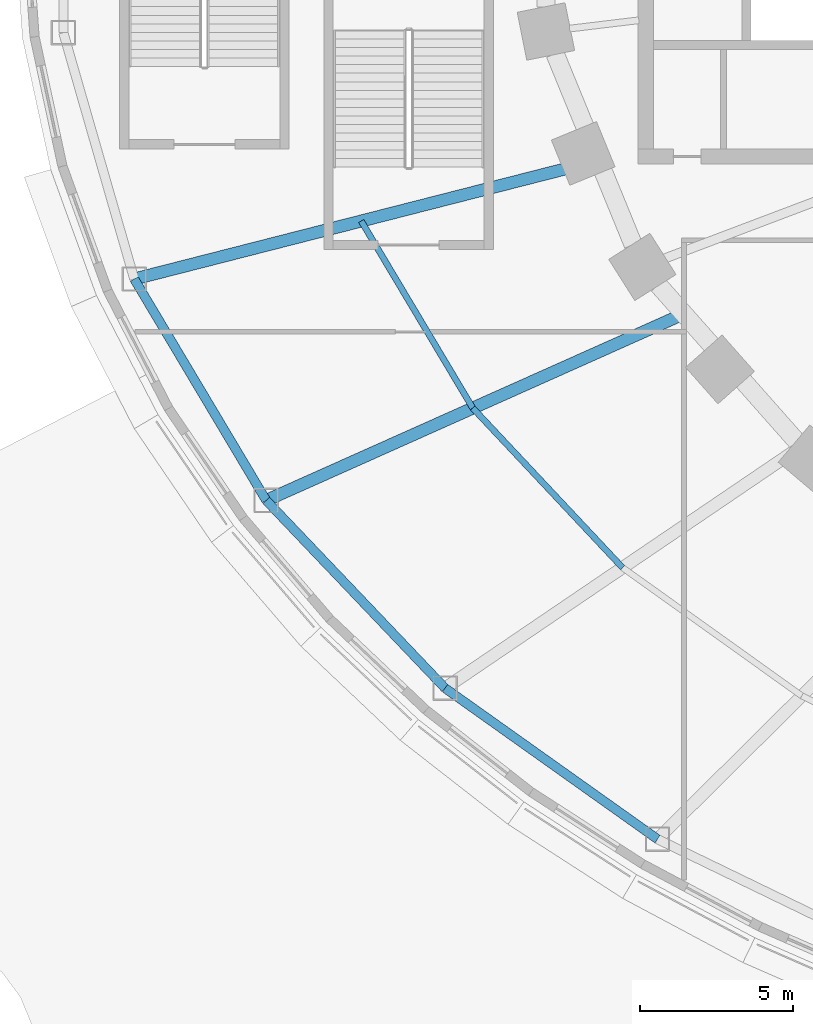
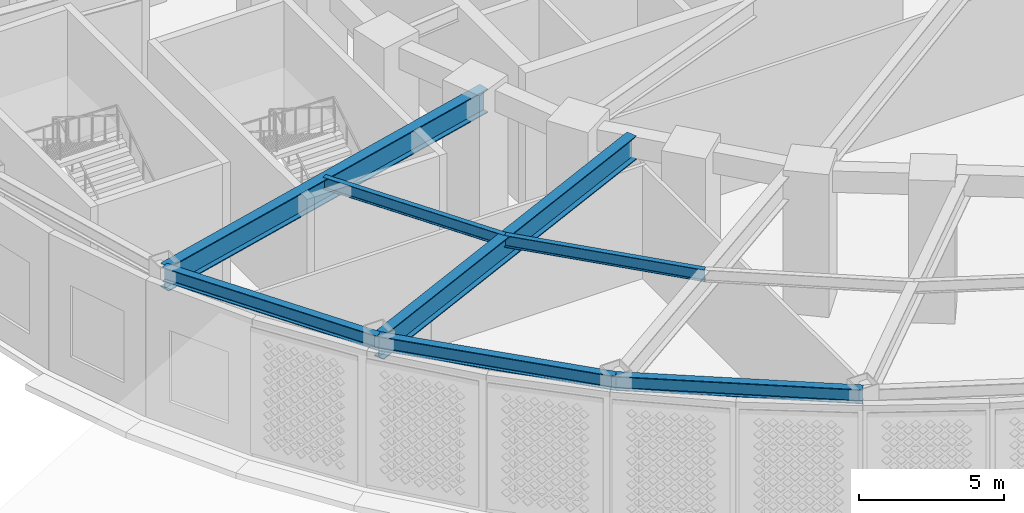
# One storey, part 8 of 74: 7 beams.
"""IFC4 building model written with IfcOpenShell, lengths in metres."""

from ifc_helpers import new_model, si_unit, direction, frame, origin, origin_2d, place, context, subcontext, project, spatial, i_section, extrude, material, material_profile, profile_set, type_object, element, save


model = new_model("IFC4")

# Units and contexts
model_context = context("Model", 3, precision=1e-05, world=origin(), true_north=direction((0.0, 1.0)))
body_context = subcontext(model_context, "Body", "Model", "MODEL_VIEW")
ifc_project = project(units=[si_unit("LENGTHUNIT", "METRE"), si_unit("AREAUNIT", "SQUARE_METRE"), si_unit("VOLUMEUNIT", "CUBIC_METRE"), si_unit("PLANEANGLEUNIT", "RADIAN"), si_unit("MASSUNIT", "GRAM", prefix="KILO")], contexts=[model_context])

# Site, building, storey
site_placement = place(None, origin())
site = spatial("IfcSite", under=ifc_project, at=site_placement, CompositionType="ELEMENT")
building_placement = place(site_placement, origin())
building = spatial("IfcBuilding", under=site, at=building_placement, Name="Noorbagh Ring Tower", CompositionType="ELEMENT")
storey_placement = place(building_placement, frame((0.0, 0.0, 7.5)))
storey = spatial("IfcBuildingStorey", under=building, at=storey_placement, Name="L01", CompositionType="ELEMENT", Elevation=7.5)

# Beams
ifc_material_1 = material(Name="Steel S355", Category="steel")
ifc_material_profile_1 = material_profile(ifc_material_1, i_section(OverallWidth=0.300048828125, OverallDepth=0.60009765625, WebThickness=0.015380859375, FlangeThickness=0.030029296875, FilletRadius=0.027099609375, at=origin_2d()), Name="HEB600")
ifc_profile_set_1 = profile_set([ifc_material_profile_1], Name="Steel S355")
beam_type_1 = type_object("IfcBeamType", Name="GND-EDGE-BEAM-HEB600", PredefinedType="BEAM", material=ifc_profile_set_1)
beam_1_placement = place(storey_placement, frame((-48.0224609375, -12.266845703125, 5.449951171875), z_axis=(0.511999358166, -0.858985830638, 0.0), x_axis=(0.858985830638, 0.511999358166, 0.0)))
element("IfcBeam", 1, at=beam_1_placement, inside=storey, type_object=beam_type_1, Name="L01/bm/ERP-19", PredefinedType="BEAM", context=body_context, shape_type="SweptSolid", body=[
    extrude(i_section(OverallWidth=0.300048828125, OverallDepth=0.60009765625, WebThickness=0.015380859375, FlangeThickness=0.030029296875, FilletRadius=0.027099609375, at=origin_2d()), origin(), (0.0, 0.0, 1.0), 8.449462890625),
])
beam_2_placement = place(storey_placement, frame((-43.6962890625, -19.52490234375, 5.449951171875), z_axis=(0.689738356688, -0.724058698804, 0.0), x_axis=(0.724058698804, 0.689738356688, 0.0)))
element("IfcBeam", 2, at=beam_2_placement, inside=storey, type_object=beam_type_1, Name="L01/bm/ERP-20", PredefinedType="BEAM", context=body_context, shape_type="SweptSolid", body=[
    extrude(i_section(OverallWidth=0.300048828125, OverallDepth=0.60009765625, WebThickness=0.015380859375, FlangeThickness=0.030029296875, FilletRadius=0.027099609375, at=origin_2d()), origin(), (0.0, 0.0, 1.0), 8.500732421875),
])
beam_3_placement = place(storey_placement, frame((-37.8330078125, -25.679931640625, 5.449951171875), z_axis=(0.815104059745, -0.579314570667, 0.0), x_axis=(0.579314570667, 0.815104059745, 0.0)))
element("IfcBeam", 3, at=beam_3_placement, inside=storey, type_object=beam_type_1, Name="L01/bm/ERP-21", PredefinedType="BEAM", context=body_context, shape_type="SweptSolid", body=[
    extrude(i_section(OverallWidth=0.300048828125, OverallDepth=0.60009765625, WebThickness=0.015380859375, FlangeThickness=0.030029296875, FilletRadius=0.027099609375, at=origin_2d()), origin(), (0.0, 0.0, 1.0), 8.543212890625),
])
ifc_material_2 = material(Name="Steel S355", Category="steel")
ifc_material_profile_2 = material_profile(ifc_material_2, i_section(OverallWidth=0.39990234375, OverallDepth=1.0, WebThickness=0.01611328125, FlangeThickness=0.0400390625, at=origin_2d()), Name="PG1000x400x16x40")
ifc_profile_set_2 = profile_set([ifc_material_profile_2], Name="Steel S355")
beam_type_2 = type_object("IfcBeamType", Name="GND-GIRDER-PG1000x400x16x40", PredefinedType="BEAM", material=ifc_profile_set_2)
beam_4_placement = place(storey_placement, frame((-48.0224609375, -12.266845703125, 5.25), z_axis=(0.968889089752, 0.247495316642, 0.0), x_axis=(-0.247495316642, 0.968889089752, 0.0)))
element("IfcBeam", 4, at=beam_4_placement, inside=storey, type_object=beam_type_2, Name="L01/bm/GRP-19", PredefinedType="BEAM", context=body_context, shape_type="SweptSolid", body=[
    extrude(i_section(OverallWidth=0.39990234375, OverallDepth=1.0, WebThickness=0.01611328125, FlangeThickness=0.0400390625, at=origin_2d()), origin(), (0.0, 0.0, 1.0), 15.35986328125),
])
beam_5_placement = place(storey_placement, frame((-43.6962890625, -19.52490234375, 5.25), z_axis=(0.91299879945, 0.4079622436, 0.0), x_axis=(-0.4079622436, 0.91299879945, 0.0)))
element("IfcBeam", 5, at=beam_5_placement, inside=storey, type_object=beam_type_2, Name="L01/bm/GRP-20", PredefinedType="BEAM", context=body_context, shape_type="SweptSolid", body=[
    extrude(i_section(OverallWidth=0.39990234375, OverallDepth=1.0, WebThickness=0.01611328125, FlangeThickness=0.0400390625, at=origin_2d()), origin(), (0.0, 0.0, 1.0), 14.8359375),
])
ifc_material_3 = material(Name="Steel S355", Category="steel")
ifc_material_profile_3 = material_profile(ifc_material_3, i_section(OverallWidth=0.199951171875, OverallDepth=0.5, WebThickness=0.01025390625, FlangeThickness=0.01611328125, FilletRadius=0.02099609375, at=origin_2d()), Name="IPE500")
ifc_profile_set_3 = profile_set([ifc_material_profile_3], Name="Steel S355")
beam_type_3 = type_object("IfcBeamType", Name="GND-MID-BEAM-IPE500", PredefinedType="JOIST", material=ifc_profile_set_3)
beam_6_placement = place(storey_placement, frame((-40.581298828125, -10.3662109375, 5.5), z_axis=(0.512221226457, -0.858853546984, 0.0), x_axis=(0.858853546984, 0.512221226457, 0.0)))
element("IfcBeam", 6, at=beam_6_placement, inside=storey, type_object=beam_type_3, Name="L01/bm/MRP-19", PredefinedType="JOIST", context=body_context, shape_type="SweptSolid", body=[
    extrude(i_section(OverallWidth=0.199951171875, OverallDepth=0.5, WebThickness=0.01025390625, FlangeThickness=0.01611328125, FilletRadius=0.02099609375, at=origin_2d()), origin(), (0.0, 0.0, 1.0), 7.140380859375),
])
beam_7_placement = place(storey_placement, frame((-36.923828125, -16.498779296875, 5.5), z_axis=(0.684360968268, -0.729143377609, 0.0), x_axis=(0.729143377609, 0.684360968268, 0.0)))
element("IfcBeam", 7, at=beam_7_placement, inside=storey, type_object=beam_type_3, Name="L01/bm/MRP-20", PredefinedType="JOIST", context=body_context, shape_type="SweptSolid", body=[
    extrude(i_section(OverallWidth=0.199951171875, OverallDepth=0.5, WebThickness=0.01025390625, FlangeThickness=0.01611328125, FilletRadius=0.02099609375, at=origin_2d()), origin(), (0.0, 0.0, 1.0), 7.174560546875),
])

save(model, "model.ifc")
